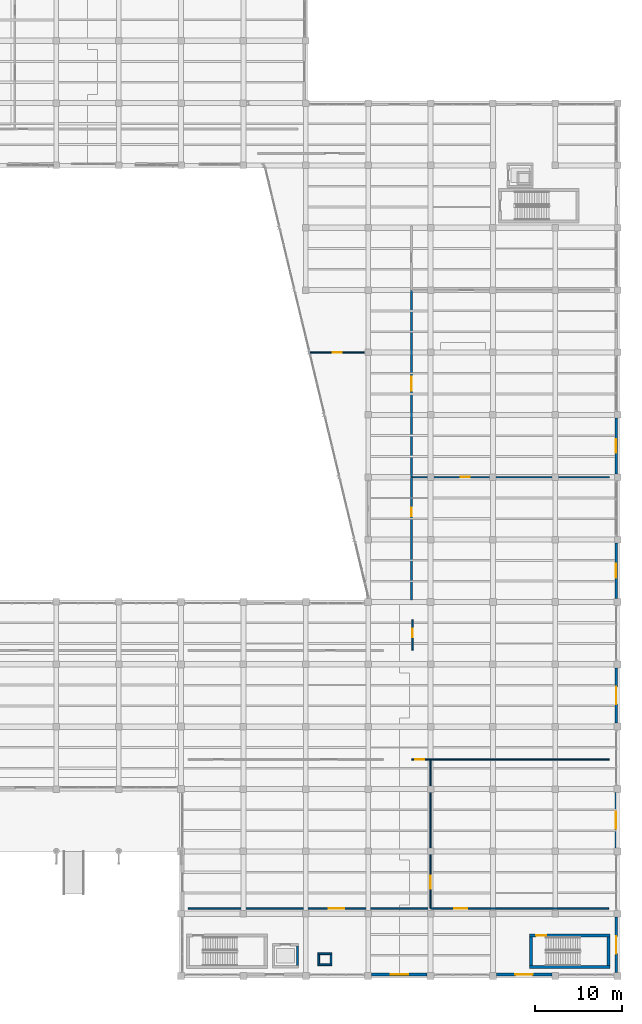
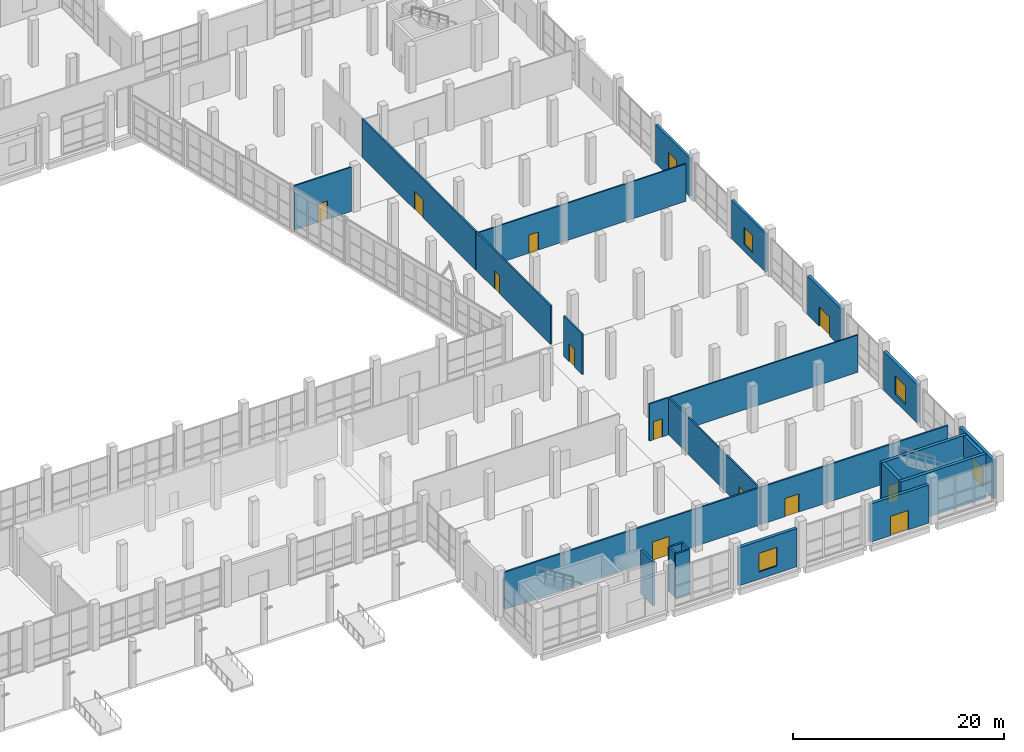
# One storey, part 111 of 137: 26 walls, 13 doors, 4 windows, 17 openings.
"""IFC4 building model written with IfcOpenShell, lengths in metres."""

from ifc_helpers import new_model, si_unit, direction, frame, frame_2d, origin, place, context, subcontext, project, spatial, rectangle, extrude, material, layer, layer_set, type_object, element, fill, save


model = new_model("IFC4")

# Units and contexts
model_context = context("Model", 3, precision=1e-05, world=origin(), true_north=direction((0.0, 1.0)))
body_context = subcontext(model_context, "Body", "Model", "MODEL_VIEW")
ifc_project = project(units=[si_unit("LENGTHUNIT", "METRE"), si_unit("AREAUNIT", "SQUARE_METRE"), si_unit("VOLUMEUNIT", "CUBIC_METRE"), si_unit("PLANEANGLEUNIT", "RADIAN"), si_unit("MASSUNIT", "GRAM", prefix="KILO")], contexts=[model_context])

# Site, building, storey
site_placement = place(None, origin())
site = spatial("IfcSite", under=ifc_project, at=site_placement, CompositionType="ELEMENT")
building_placement = place(site_placement, origin())
building = spatial("IfcBuilding", under=site, at=building_placement, Name="Kalmorath City Hall", CompositionType="ELEMENT")
storey_placement = place(building_placement, origin())
storey = spatial("IfcBuildingStorey", under=building, at=storey_placement, Name="L00", CompositionType="ELEMENT", Elevation=0.0)

# Wall, opening, door
ifc_material_1 = material(Name="Precast concrete C40/50", Category="concrete")
ifc_layer_1 = layer(ifc_material_1, 0.340087890625)
ifc_layer_set_1 = layer_set([ifc_layer_1], Name="Precast concrete C40/50")
wall_type_1 = type_object("IfcWallType", Name="Chamber acoustic precast wall 340", PredefinedType="SOLIDWALL", material=ifc_layer_set_1)
wall_1_placement = place(storey_placement, frame((165.43994140625, 35.59912109375, 0.0), z_axis=(0.0, 0.0, 1.0), x_axis=(0.0, -1.0, 0.0)))
wall_1 = element("IfcWall", 1, at=wall_1_placement, inside=storey, type_object=wall_type_1, Name="L00 chamber acoustic wall #96", PredefinedType="SOLIDWALL", context=body_context, shape_type="SweptSolid", body=[
    extrude(rectangle(XDim=6.398193359375, YDim=0.340087890625, at=frame_2d((3.19921875, 0.0))), origin(), (0.0, 0.0, 1.0), 4.4609375),
])
opening_1_placement = place(wall_1_placement, frame((2.198974609375, 0.0, 0.0)))
opening_1 = element("IfcOpeningElement", 2, at=opening_1_placement, cuts=wall_1, Name="Opening D-E012", PredefinedType="OPENING", context=body_context, shape_type="SweptSolid", body=[
    extrude(rectangle(XDim=2.0, YDim=2.25, at=frame_2d((1.0, 1.125))), frame((0.0, 0.179931640625, 0.0), z_axis=(0.0, -1.0, 0.0), x_axis=(1.0, 0.0, 0.0)), (0.0, 0.0, 1.0), 0.360107421875),
])
ifc_material_2 = material(Name="Galvanised steel and impact glass", Category="steel")
door_type_1 = type_object("IfcDoorType", Name="Hurricane exit discharge double door 2000x2250", OperationType="DOUBLE_DOOR_SINGLE_SWING", PredefinedType="DOOR", material=ifc_material_2)
door_1_placement = place(opening_1_placement, origin())
door_1 = element("IfcDoor", 3, at=door_1_placement, inside=storey, type_object=door_type_1, Name="L00 exterior door D-E012", OperationType="DOUBLE_DOOR_SINGLE_SWING", OverallHeight=2.25, OverallWidth=2.0, PredefinedType="DOOR", context=body_context, shape_type="SweptSolid", body=[
    extrude(rectangle(XDim=2.0, YDim=2.25, at=frame_2d((1.0, 1.125))), frame((0.0, 0.02490234375, 0.0), z_axis=(0.0, -1.0, 0.0), x_axis=(1.0, 0.0, 0.0)), (0.0, 0.0, 1.0), 0.050048828125),
])
fill(opening_1, door_1)

# Wall, opening, window
wall_2_placement = place(storey_placement, frame((165.43994140625, 21.198974609375, 0.0), z_axis=(0.0, 0.0, 1.0), x_axis=(0.0, -1.0, 0.0)))
wall_2 = element("IfcWall", 4, at=wall_2_placement, inside=storey, type_object=wall_type_1, Name="L00 chamber acoustic wall #97", PredefinedType="SOLIDWALL", context=body_context, shape_type="SweptSolid", body=[
    extrude(rectangle(XDim=6.39794921875, YDim=0.340087890625, at=frame_2d((3.198974609375, 0.0))), origin(), (0.0, 0.0, 1.0), 4.4609375),
])
opening_2_placement = place(wall_2_placement, frame((2.198974609375, 0.0, 0.85009765625)))
opening_2 = element("IfcOpeningElement", 5, at=opening_2_placement, cuts=wall_2, Name="Opening WN13", PredefinedType="OPENING", context=body_context, shape_type="SweptSolid", body=[
    extrude(rectangle(XDim=2.0, YDim=2.14990234375, at=frame_2d((1.0, 1.074951171875))), frame((0.0, 0.179931640625, 0.0), z_axis=(0.0, -1.0, 0.0), x_axis=(1.0, 0.0, 0.0)), (0.0, 0.0, 1.0), 0.360107421875),
])
ifc_material_3 = material(Name="Acoustic laminated glass", Category="glass")
window_type_1 = type_object("IfcWindowType", Name="Chamber foyer acoustic window 2000x2150", PartitioningType="SINGLE_PANEL", PredefinedType="WINDOW", material=ifc_material_3)
window_1_placement = place(opening_2_placement, origin())
window_1 = element("IfcWindow", 6, at=window_1_placement, inside=storey, type_object=window_type_1, Name="L00 window WN13-47", OverallHeight=2.14990234375, OverallWidth=2.0, PartitioningType="SINGLE_PANEL", PredefinedType="WINDOW", context=body_context, shape_type="SweptSolid", body=[
    extrude(rectangle(XDim=2.0, YDim=2.14990234375, at=frame_2d((1.0, 1.074951171875))), frame((0.0, 0.030029296875, 0.0), z_axis=(0.0, -1.0, 0.0), x_axis=(1.0, 0.0, 0.0)), (0.0, 0.0, 1.0), 0.06005859375),
])
fill(opening_2, window_1)

# Wall, opening, door
wall_3_placement = place(storey_placement, frame((165.43994140625, 6.799072265625, 0.0), z_axis=(0.0, 0.0, 1.0), x_axis=(0.0, -1.0, 0.0)))
wall_3 = element("IfcWall", 7, at=wall_3_placement, inside=storey, type_object=wall_type_1, Name="L00 chamber acoustic wall #98", PredefinedType="SOLIDWALL", context=body_context, shape_type="SweptSolid", body=[
    extrude(rectangle(XDim=6.398193359375, YDim=0.340087890625, at=frame_2d((3.19921875, 0.0))), origin(), (0.0, 0.0, 1.0), 4.4609375),
])
opening_3_placement = place(wall_3_placement, frame((2.198974609375, 0.0, 0.0)))
opening_3 = element("IfcOpeningElement", 8, at=opening_3_placement, cuts=wall_3, Name="Opening D-E013", PredefinedType="OPENING", context=body_context, shape_type="SweptSolid", body=[
    extrude(rectangle(XDim=2.0, YDim=2.25, at=frame_2d((1.0, 1.125))), frame((0.0, 0.179931640625, 0.0), z_axis=(0.0, -1.0, 0.0), x_axis=(1.0, 0.0, 0.0)), (0.0, 0.0, 1.0), 0.360107421875),
])
door_2_placement = place(opening_3_placement, origin())
door_2 = element("IfcDoor", 9, at=door_2_placement, inside=storey, type_object=door_type_1, Name="L00 exterior door D-E013", OperationType="DOUBLE_DOOR_SINGLE_SWING", OverallHeight=2.25, OverallWidth=2.0, PredefinedType="DOOR", context=body_context, shape_type="SweptSolid", body=[
    extrude(rectangle(XDim=2.0, YDim=2.25, at=frame_2d((1.0, 1.125))), frame((0.0, 0.02490234375, 0.0), z_axis=(0.0, -1.0, 0.0), x_axis=(1.0, 0.0, 0.0)), (0.0, 0.0, 1.0), 0.050048828125),
])
fill(opening_3, door_2)

wall_4_placement = place(storey_placement, frame((157.9990234375, 0.159912109375, 0.0), z_axis=(0.0, 0.0, 1.0), x_axis=(-1.0, 0.0, 0.0)))
wall_4 = element("IfcWall", 10, at=wall_4_placement, inside=storey, type_object=wall_type_1, Name="L00 chamber acoustic wall #99", PredefinedType="SOLIDWALL", context=body_context, shape_type="SweptSolid", body=[
    extrude(rectangle(XDim=6.39794921875, YDim=0.340087890625, at=frame_2d((3.198974609375, 0.0))), origin(), (0.0, 0.0, 1.0), 4.410888671875),
])
opening_4_placement = place(wall_4_placement, frame((2.198974609375, 0.0, 0.0)))
opening_4 = element("IfcOpeningElement", 11, at=opening_4_placement, cuts=wall_4, Name="Opening D-E014", PredefinedType="OPENING", context=body_context, shape_type="SweptSolid", body=[
    extrude(rectangle(XDim=2.0, YDim=2.25, at=frame_2d((1.0, 1.125))), frame((0.0, 0.179931640625, 0.0), z_axis=(0.0, -1.0, 0.0), x_axis=(1.0, 0.0, 0.0)), (0.0, 0.0, 1.0), 0.360107421875),
])
door_3_placement = place(opening_4_placement, origin())
door_3 = element("IfcDoor", 12, at=door_3_placement, inside=storey, type_object=door_type_1, Name="L00 exterior door D-E014", OperationType="DOUBLE_DOOR_SINGLE_SWING", OverallHeight=2.25, OverallWidth=2.0, PredefinedType="DOOR", context=body_context, shape_type="SweptSolid", body=[
    extrude(rectangle(XDim=2.0, YDim=2.25, at=frame_2d((1.0, 1.125))), frame((0.0, 0.02490234375, 0.0), z_axis=(0.0, -1.0, 0.0), x_axis=(1.0, 0.0, 0.0)), (0.0, 0.0, 1.0), 0.050048828125),
])
fill(opening_4, door_3)

# Wall, opening, window
wall_5_placement = place(storey_placement, frame((143.59912109375, 0.159912109375, 0.0), z_axis=(0.0, 0.0, 1.0), x_axis=(-1.0, 0.0, 0.0)))
wall_5 = element("IfcWall", 13, at=wall_5_placement, inside=storey, type_object=wall_type_1, Name="L00 chamber acoustic wall #100", PredefinedType="SOLIDWALL", context=body_context, shape_type="SweptSolid", body=[
    extrude(rectangle(XDim=6.398193359375, YDim=0.340087890625, at=frame_2d((3.19921875, 0.0))), origin(), (0.0, 0.0, 1.0), 4.410888671875),
])
opening_5_placement = place(wall_5_placement, frame((2.198974609375, 0.0, 0.85009765625)))
opening_5 = element("IfcOpeningElement", 14, at=opening_5_placement, cuts=wall_5, Name="Opening WN13", PredefinedType="OPENING", context=body_context, shape_type="SweptSolid", body=[
    extrude(rectangle(XDim=2.0, YDim=2.14990234375, at=frame_2d((1.0, 1.074951171875))), frame((0.0, 0.179931640625, 0.0), z_axis=(0.0, -1.0, 0.0), x_axis=(1.0, 0.0, 0.0)), (0.0, 0.0, 1.0), 0.360107421875),
])
window_2_placement = place(opening_5_placement, origin())
window_2 = element("IfcWindow", 15, at=window_2_placement, inside=storey, type_object=window_type_1, Name="L00 window WN13-48", OverallHeight=2.14990234375, OverallWidth=2.0, PartitioningType="SINGLE_PANEL", PredefinedType="WINDOW", context=body_context, shape_type="SweptSolid", body=[
    extrude(rectangle(XDim=2.0, YDim=2.14990234375, at=frame_2d((1.0, 1.074951171875))), frame((0.0, 0.030029296875, 0.0), z_axis=(0.0, -1.0, 0.0), x_axis=(1.0, 0.0, 0.0)), (0.0, 0.0, 1.0), 0.06005859375),
])
fill(opening_5, window_2)

# Wall
ifc_material_4 = material(Name="Concrete C50/60", Category="concrete")
ifc_layer_2 = layer(ifc_material_4, 0.35009765625)
ifc_layer_set_2 = layer_set([ifc_layer_2], Name="Concrete C50/60")
wall_type_2 = type_object("IfcWallType", Name="Concrete core shear wall 350", PredefinedType="SHEAR", material=ifc_layer_set_2)
wall_6_placement = place(storey_placement, frame((155.449951171875, 1.02490234375, 0.0), z_axis=(0.0, 0.0, 1.0), x_axis=(1.0, 0.0, 0.0)))
element("IfcWall", 16, at=wall_6_placement, inside=storey, type_object=wall_type_2, Name="L00 C7 stair core shear wall S", PredefinedType="SHEAR", context=body_context, shape_type="SweptSolid", body=[
    extrude(rectangle(XDim=9.300048828125, YDim=0.35009765625, at=frame_2d((4.64990234375, 0.0))), origin(), (0.0, 0.0, 1.0), 5.1201171875),
])

# Wall, opening, door
wall_7_placement = place(storey_placement, frame((164.75, 4.675048828125, 0.0), z_axis=(0.0, 0.0, 1.0), x_axis=(-1.0, 0.0, 0.0)))
wall_7 = element("IfcWall", 17, at=wall_7_placement, inside=storey, type_object=wall_type_2, Name="L00 C7 stair core shear wall N", PredefinedType="SHEAR", context=body_context, shape_type="SweptSolid", body=[
    extrude(rectangle(XDim=9.300048828125, YDim=0.35009765625, at=frame_2d((4.64990234375, 0.0))), origin(), (0.0, 0.0, 1.0), 5.1201171875),
])
opening_6_placement = place(wall_7_placement, frame((7.39990234375, 0.0, 0.0)))
opening_6 = element("IfcOpeningElement", 18, at=opening_6_placement, cuts=wall_7, Name="Opening D-L00-104", PredefinedType="OPENING", context=body_context, shape_type="SweptSolid", body=[
    extrude(rectangle(XDim=1.14990234375, YDim=2.10009765625, at=frame_2d((0.574951171875, 1.050048828125))), frame((0.0, 0.18505859375, 0.0), z_axis=(0.0, -1.0, 0.0), x_axis=(1.0, 0.0, 0.0)), (0.0, 0.0, 1.0), 0.3701171875),
])
ifc_material_5 = material(Name="Galvanised steel fire door", Category="steel")
door_type_2 = type_object("IfcDoorType", Name="Stair enclosure 90-min fire door 1150x2100", OperationType="NOTDEFINED", PredefinedType="DOOR", material=ifc_material_5)
door_4_placement = place(opening_6_placement, frame((1.14990234375, 0.0, 0.0), z_axis=(0.0, 0.0, 1.0), x_axis=(-1.0, 0.0, 0.0)))
door_4 = element("IfcDoor", 19, at=door_4_placement, inside=storey, type_object=door_type_2, Name="L00 door D-L00-104", OperationType="SINGLE_SWING_RIGHT", OverallHeight=2.10009765625, OverallWidth=1.14990234375, PredefinedType="DOOR", context=body_context, shape_type="SweptSolid", body=[
    extrude(rectangle(XDim=1.14990234375, YDim=2.10009765625, at=frame_2d((0.574951171875, 1.050048828125))), frame((0.0, 0.02490234375, 0.0), z_axis=(0.0, -1.0, 0.0), x_axis=(1.0, 0.0, 0.0)), (0.0, 0.0, 1.0), 0.050048828125),
])
fill(opening_6, door_4)

# Walls
for number, where, z_axis, x_axis, name in (
    (20, (155.625, 4.5, 0.0), (0.0, 0.0, 1.0), (0.0, -1.0, 0.0), "L00 C7 stair core shear wall W"),
    (21, (164.574951171875, 1.199951171875, 0.0), (0.0, 0.0, 1.0), (0.0, 1.0, 0.0), "L00 C7 stair core shear wall E"),
):
    element("IfcWall", number, at=place(storey_placement, frame(where, z_axis=z_axis, x_axis=x_axis)), inside=storey, type_object=wall_type_2, Name=name, PredefinedType="SHEAR", context=body_context, shape_type="SweptSolid", body=[
        extrude(rectangle(XDim=3.300048828125, YDim=0.35009765625, at=frame_2d((1.64990234375, 0.0))), origin(), (0.0, 0.0, 1.0), 5.1201171875),
    ])
ifc_material_6 = material(Name="Concrete C50/60", Category="concrete")
ifc_layer_3 = layer(ifc_material_6, 0.25)
ifc_layer_set_3 = layer_set([ifc_layer_3], Name="Concrete C50/60")
wall_type_3 = type_object("IfcWallType", Name="Concrete lift shaft wall 250", PredefinedType="SHEAR", material=ifc_layer_set_3)
wall_8_placement = place(storey_placement, frame((128.625, 1.199951171875, 0.0), z_axis=(0.0, 0.0, 1.0), x_axis=(0.0, 1.0, 0.0)))
element("IfcWall", 22, at=wall_8_placement, inside=storey, type_object=wall_type_3, Name="L00 PL5 lift shaft wall +x", PredefinedType="SHEAR", context=body_context, shape_type="SweptSolid", body=[
    extrude(rectangle(XDim=2.300048828125, YDim=0.25, at=frame_2d((1.14990234375, 0.0))), origin(), (0.0, 0.0, 1.0), 5.1201171875),
])
ifc_material_7 = material(Name="Concrete C40/50", Category="concrete")
ifc_layer_4 = layer(ifc_material_7, 0.199951171875)
ifc_layer_set_4 = layer_set([ifc_layer_4], Name="Concrete C40/50")
wall_type_4 = type_object("IfcWallType", Name="Concrete service riser wall 200", PredefinedType="SOLIDWALL", material=ifc_layer_set_4)
for number, where, z_axis, x_axis, name in (
    (23, (131.0, 1.300048828125, 0.0), (0.0, 0.0, 1.0), (1.0, 0.0, 0.0), "L00 RSR-3 riser shaft wall S"),
    (24, (132.60009765625, 2.580078125, 0.0), (0.0, 0.0, 1.0), (-1.0, 0.0, 0.0), "L00 RSR-3 riser shaft wall N"),
):
    element("IfcWall", number, at=place(storey_placement, frame(where, z_axis=z_axis, x_axis=x_axis)), inside=storey, type_object=wall_type_4, Name=name, PredefinedType="SOLIDWALL", context=body_context, shape_type="SweptSolid", body=[
        extrude(rectangle(XDim=1.60009765625, YDim=0.199951171875, at=frame_2d((0.800048828125, 0.0))), origin(), (0.0, 0.0, 1.0), 5.1201171875),
    ])
for number, where, z_axis, x_axis, name in (
    (25, (131.10009765625, 2.47998046875, 0.0), (0.0, 0.0, 1.0), (0.0, -1.0, 0.0), "L00 RSR-3 riser shaft wall W"),
    (26, (132.5, 1.39990234375, 0.0), (0.0, 0.0, 1.0), (0.0, 1.0, 0.0), "L00 RSR-3 riser shaft wall E"),
):
    element("IfcWall", number, at=place(storey_placement, frame(where, z_axis=z_axis, x_axis=x_axis)), inside=storey, type_object=wall_type_4, Name=name, PredefinedType="SOLIDWALL", context=body_context, shape_type="SweptSolid", body=[
        extrude(rectangle(XDim=1.080078125, YDim=0.199951171875, at=frame_2d((0.5400390625, 0.0))), origin(), (0.0, 0.0, 1.0), 5.1201171875),
    ])

# Wall, opening, door
ifc_material_8 = material(Name="Acoustic metal-stud gypsum partition")
ifc_layer_5 = layer(ifc_material_8, 0.14990234375)
ifc_layer_set_5 = layer_set([ifc_layer_5], Name="Acoustic metal-stud gypsum partition")
wall_type_5 = type_object("IfcWallType", Name="Departmental suite partition 150", PredefinedType="PARTITIONING", material=ifc_layer_set_5)
wall_9_placement = place(storey_placement, frame((144.0, 7.840087890625, 0.0), z_axis=(0.0, 0.0, 1.0), x_axis=(0.0, 1.0, 0.0)))
wall_9 = element("IfcWall", 27, at=wall_9_placement, inside=storey, type_object=wall_type_5, Name="L00 interior partition PW4 #51", PredefinedType="PARTITIONING", context=body_context, shape_type="SweptSolid", body=[
    extrude(rectangle(XDim=17.119873046875, YDim=0.14990234375, at=frame_2d((8.56005859375, 0.0))), origin(), (0.0, 0.0, 1.0), 4.31103515625),
])
opening_7_placement = place(wall_9_placement, frame((2.267578125, 0.0, 0.0)))
opening_7 = element("IfcOpeningElement", 28, at=opening_7_placement, cuts=wall_9, Name="Opening D-L00-133", PredefinedType="OPENING", context=body_context, shape_type="SweptSolid", body=[
    extrude(rectangle(XDim=1.5, YDim=2.10009765625, at=frame_2d((0.75, 1.050048828125))), frame((0.0, 0.0849609375, 0.0), z_axis=(0.0, -1.0, 0.0), x_axis=(1.0, 0.0, 0.0)), (0.0, 0.0, 1.0), 0.169921875),
])
ifc_material_9 = material(Name="Hardwood veneer door", Category="wood")
door_type_3 = type_object("IfcDoorType", Name="Conference suite double door 1500x2100", OperationType="DOUBLE_DOOR_SINGLE_SWING", PredefinedType="DOOR", material=ifc_material_9)
door_5_placement = place(opening_7_placement, origin())
door_5 = element("IfcDoor", 29, at=door_5_placement, inside=storey, type_object=door_type_3, Name="L00 door D-L00-133", OperationType="DOUBLE_DOOR_SINGLE_SWING", OverallHeight=2.10009765625, OverallWidth=1.5, PredefinedType="DOOR", context=body_context, shape_type="SweptSolid", body=[
    extrude(rectangle(XDim=1.5, YDim=2.10009765625, at=frame_2d((0.75, 1.050048828125))), frame((0.0, 0.02490234375, 0.0), z_axis=(0.0, -1.0, 0.0), x_axis=(1.0, 0.0, 0.0)), (0.0, 0.0, 1.0), 0.050048828125),
])
fill(opening_7, door_5)

wall_10_placement = place(storey_placement, frame((141.840087890625, 25.0, 0.0), z_axis=(0.0, 0.0, 1.0), x_axis=(1.0, 0.0, 0.0)))
wall_10 = element("IfcWall", 30, at=wall_10_placement, inside=storey, type_object=wall_type_5, Name="L00 interior partition PW4 #53", PredefinedType="PARTITIONING", context=body_context, shape_type="SweptSolid", body=[
    extrude(rectangle(XDim=2.119873046875, YDim=0.14990234375, at=frame_2d((1.06005859375, 0.0))), origin(), (0.0, 0.0, 1.0), 4.31103515625),
])
opening_8_placement = place(wall_10_placement, frame((0.419921875, 0.0, 0.0)))
opening_8 = element("IfcOpeningElement", 31, at=opening_8_placement, cuts=wall_10, Name="Opening D-L00-137", PredefinedType="OPENING", context=body_context, shape_type="SweptSolid", body=[
    extrude(rectangle(XDim=1.0, YDim=2.10009765625, at=frame_2d((0.5, 1.050048828125))), frame((0.0, 0.0849609375, 0.0), z_axis=(0.0, -1.0, 0.0), x_axis=(1.0, 0.0, 0.0)), (0.0, 0.0, 1.0), 0.169921875),
])
ifc_material_10 = material(Name="Hardwood fire door", Category="wood")
door_type_4 = type_object("IfcDoorType", Name="Corridor 60-min fire door 1000x2100", OperationType="NOTDEFINED", PredefinedType="DOOR", material=ifc_material_10)
door_6_placement = place(opening_8_placement, origin())
door_6 = element("IfcDoor", 32, at=door_6_placement, inside=storey, type_object=door_type_4, Name="L00 door D-L00-137", OperationType="SINGLE_SWING_LEFT", OverallHeight=2.10009765625, OverallWidth=1.0, PredefinedType="DOOR", context=body_context, shape_type="SweptSolid", body=[
    extrude(rectangle(XDim=1.0, YDim=2.10009765625, at=frame_2d((0.5, 1.050048828125))), frame((0.0, 0.02490234375, 0.0), z_axis=(0.0, -1.0, 0.0), x_axis=(1.0, 0.0, 0.0)), (0.0, 0.0, 1.0), 0.050048828125),
])
fill(opening_8, door_6)

# Wall
wall_11_placement = place(storey_placement, frame((144.0400390625, 25.0, 0.0), z_axis=(0.0, 0.0, 1.0), x_axis=(1.0, 0.0, 0.0)))
element("IfcWall", 33, at=wall_11_placement, inside=storey, type_object=wall_type_5, Name="L00 interior partition PW4 #54", PredefinedType="PARTITIONING", context=body_context, shape_type="SweptSolid", body=[
    extrude(rectangle(XDim=20.619873046875, YDim=0.14990234375, at=frame_2d((10.31005859375, 0.0))), origin(), (0.0, 0.0, 1.0), 4.31103515625),
])

# Wall, opening, door
wall_12_placement = place(storey_placement, frame((130.110595703125, 72.0, 0.0), z_axis=(0.0, 0.0, 1.0), x_axis=(1.0, 0.0, 0.0)))
wall_12 = element("IfcWall", 34, at=wall_12_placement, inside=storey, type_object=wall_type_5, Name="L00 interior partition PW4 #61", PredefinedType="PARTITIONING", context=body_context, shape_type="SweptSolid", body=[
    extrude(rectangle(XDim=6.24951171875, YDim=0.14990234375, at=frame_2d((3.124755859375, 0.0))), origin(), (0.0, 0.0, 1.0), 5.1201171875),
])
opening_9_placement = place(wall_12_placement, frame((2.624755859375, 0.0, 0.0)))
opening_9 = element("IfcOpeningElement", 35, at=opening_9_placement, cuts=wall_12, Name="Opening D-L00-154", PredefinedType="OPENING", context=body_context, shape_type="SweptSolid", body=[
    extrude(rectangle(XDim=1.0, YDim=2.10009765625, at=frame_2d((0.5, 1.050048828125))), frame((0.0, 0.0849609375, 0.0), z_axis=(0.0, -1.0, 0.0), x_axis=(1.0, 0.0, 0.0)), (0.0, 0.0, 1.0), 0.169921875),
])
door_7_placement = place(opening_9_placement, origin())
door_7 = element("IfcDoor", 36, at=door_7_placement, inside=storey, type_object=door_type_4, Name="L00 door D-L00-154", OperationType="SINGLE_SWING_RIGHT", OverallHeight=2.10009765625, OverallWidth=1.0, PredefinedType="DOOR", context=body_context, shape_type="SweptSolid", body=[
    extrude(rectangle(XDim=1.0, YDim=2.10009765625, at=frame_2d((0.5, 1.050048828125))), frame((0.0, 0.02490234375, 0.0), z_axis=(0.0, -1.0, 0.0), x_axis=(1.0, 0.0, 0.0)), (0.0, 0.0, 1.0), 0.050048828125),
])
fill(opening_9, door_7)

wall_13_placement = place(storey_placement, frame((141.840087890625, 57.60009765625, 0.0), z_axis=(0.0, 0.0, 1.0), x_axis=(1.0, 0.0, 0.0)))
wall_13 = element("IfcWall", 37, at=wall_13_placement, inside=storey, type_object=wall_type_5, Name="L00 interior partition PW4 #62", PredefinedType="PARTITIONING", context=body_context, shape_type="SweptSolid", body=[
    extrude(rectangle(XDim=22.81982421875, YDim=0.14990234375, at=frame_2d((11.409912109375, 0.0))), origin(), (0.0, 0.0, 1.0), 4.31103515625),
])
opening_10_placement = place(wall_13_placement, frame((5.6650390625, 0.0, 0.0)))
opening_10 = element("IfcOpeningElement", 38, at=opening_10_placement, cuts=wall_13, Name="Opening D-L00-156", PredefinedType="OPENING", context=body_context, shape_type="SweptSolid", body=[
    extrude(rectangle(XDim=1.0, YDim=2.10009765625, at=frame_2d((0.5, 1.050048828125))), frame((0.0, 0.0849609375, 0.0), z_axis=(0.0, -1.0, 0.0), x_axis=(1.0, 0.0, 0.0)), (0.0, 0.0, 1.0), 0.169921875),
])
door_8_placement = place(opening_10_placement, origin())
door_8 = element("IfcDoor", 39, at=door_8_placement, inside=storey, type_object=door_type_4, Name="L00 door D-L00-156", OperationType="SINGLE_SWING_RIGHT", OverallHeight=2.10009765625, OverallWidth=1.0, PredefinedType="DOOR", context=body_context, shape_type="SweptSolid", body=[
    extrude(rectangle(XDim=1.0, YDim=2.10009765625, at=frame_2d((0.5, 1.050048828125))), frame((0.0, 0.02490234375, 0.0), z_axis=(0.0, -1.0, 0.0), x_axis=(1.0, 0.0, 0.0)), (0.0, 0.0, 1.0), 0.050048828125),
])
fill(opening_10, door_8)

# Wall, opening, window
ifc_material_11 = material(Name="Precast concrete C40/50", Category="concrete")
ifc_layer_6 = layer(ifc_material_11, 0.27001953125)
ifc_layer_set_6 = layer_set([ifc_layer_6], Name="Precast concrete C40/50")
wall_type_6 = type_object("IfcWallType", Name="Library splayed facade wall 270", PredefinedType="SOLIDWALL", material=ifc_layer_set_6)
wall_14_placement = place(storey_placement, frame((165.43994140625, 64.424072265625, 0.0), z_axis=(0.0, 0.0, 1.0), x_axis=(0.0, -1.0, 0.0)))
wall_14 = element("IfcWall", 40, at=wall_14_placement, inside=storey, type_object=wall_type_6, Name="L00 library wall #94", PredefinedType="SOLIDWALL", context=body_context, shape_type="SweptSolid", body=[
    extrude(rectangle(XDim=6.447998046875, YDim=0.27001953125, at=frame_2d((3.22412109375, 0.0))), origin(), (0.0, 0.0, 1.0), 4.4609375),
])
opening_11_placement = place(wall_14_placement, frame((2.424072265625, 0.0, 0.800048828125)))
opening_11 = element("IfcOpeningElement", 41, at=opening_11_placement, cuts=wall_14, Name="Opening WN15", PredefinedType="OPENING", context=body_context, shape_type="SweptSolid", body=[
    extrude(rectangle(XDim=1.60009765625, YDim=1.949951171875, at=frame_2d((0.800048828125, 0.97509765625))), frame((0.0, 0.14501953125, 0.0), z_axis=(0.0, -1.0, 0.0), x_axis=(1.0, 0.0, 0.0)), (0.0, 0.0, 1.0), 0.2900390625),
])
ifc_material_12 = material(Name="Bronze-anodised aluminium and glass", Category="aluminium")
window_type_2 = type_object("IfcWindowType", Name="Library stacks window 1600x1950", PartitioningType="SINGLE_PANEL", PredefinedType="WINDOW", material=ifc_material_12)
window_3_placement = place(opening_11_placement, origin())
window_3 = element("IfcWindow", 42, at=window_3_placement, inside=storey, type_object=window_type_2, Name="L00 window WN15-45", OverallHeight=1.949951171875, OverallWidth=1.60009765625, PartitioningType="SINGLE_PANEL", PredefinedType="WINDOW", context=body_context, shape_type="SweptSolid", body=[
    extrude(rectangle(XDim=1.60009765625, YDim=1.949951171875, at=frame_2d((0.800048828125, 0.97509765625))), frame((0.0, 0.030029296875, 0.0), z_axis=(0.0, -1.0, 0.0), x_axis=(1.0, 0.0, 0.0)), (0.0, 0.0, 1.0), 0.06005859375),
])
fill(opening_11, window_3)

wall_15_placement = place(storey_placement, frame((165.43994140625, 50.02392578125, 0.0), z_axis=(0.0, 0.0, 1.0), x_axis=(0.0, -1.0, 0.0)))
wall_15 = element("IfcWall", 43, at=wall_15_placement, inside=storey, type_object=wall_type_6, Name="L00 library wall #95", PredefinedType="SOLIDWALL", context=body_context, shape_type="SweptSolid", body=[
    extrude(rectangle(XDim=6.4228515625, YDim=0.27001953125, at=frame_2d((3.21142578125, 0.0))), origin(), (0.0, 0.0, 1.0), 4.4609375),
])
opening_12_placement = place(wall_15_placement, frame((2.41162109375, 0.0, 0.800048828125)))
opening_12 = element("IfcOpeningElement", 44, at=opening_12_placement, cuts=wall_15, Name="Opening WN15", PredefinedType="OPENING", context=body_context, shape_type="SweptSolid", body=[
    extrude(rectangle(XDim=1.60009765625, YDim=1.949951171875, at=frame_2d((0.800048828125, 0.97509765625))), frame((0.0, 0.14501953125, 0.0), z_axis=(0.0, -1.0, 0.0), x_axis=(1.0, 0.0, 0.0)), (0.0, 0.0, 1.0), 0.2900390625),
])
window_4_placement = place(opening_12_placement, origin())
window_4 = element("IfcWindow", 45, at=window_4_placement, inside=storey, type_object=window_type_2, Name="L00 window WN15-46", OverallHeight=1.949951171875, OverallWidth=1.60009765625, PartitioningType="SINGLE_PANEL", PredefinedType="WINDOW", context=body_context, shape_type="SweptSolid", body=[
    extrude(rectangle(XDim=1.60009765625, YDim=1.949951171875, at=frame_2d((0.800048828125, 0.97509765625))), frame((0.0, 0.030029296875, 0.0), z_axis=(0.0, -1.0, 0.0), x_axis=(1.0, 0.0, 0.0)), (0.0, 0.0, 1.0), 0.06005859375),
])
fill(opening_12, window_4)

# Wall, opening, door
ifc_material_13 = material(Name="Fire-rated acoustic gypsum partition")
ifc_layer_7 = layer(ifc_material_13, 0.179931640625)
ifc_layer_set_7 = layer_set([ifc_layer_7], Name="Fire-rated acoustic gypsum partition")
wall_type_7 = type_object("IfcWallType", Name="One-hour corridor fire partition 180", PredefinedType="PARTITIONING", material=ifc_layer_set_7)
wall_16_placement = place(storey_placement, frame((141.89990234375, 37.639892578125, 0.0), z_axis=(0.0, 0.0, 1.0), x_axis=(0.0, 1.0, 0.0)))
wall_16 = element("IfcWall", 46, at=wall_16_placement, inside=storey, type_object=wall_type_7, Name="L00 interior partition PW2 #34", PredefinedType="PARTITIONING", context=body_context, shape_type="SweptSolid", body=[
    extrude(rectangle(XDim=3.52001953125, YDim=0.179931640625, at=frame_2d((1.760009765625, 0.0))), origin(), (0.0, 0.0, 1.0), 4.657958984375),
])
opening_13_placement = place(wall_16_placement, frame((1.469970703125, 0.0, 0.0)))
opening_13 = element("IfcOpeningElement", 47, at=opening_13_placement, cuts=wall_16, Name="Opening D-L00-136", PredefinedType="OPENING", context=body_context, shape_type="SweptSolid", body=[
    extrude(rectangle(XDim=1.0, YDim=2.10009765625, at=frame_2d((0.5, 1.050048828125))), frame((0.0, 0.099853515625, 0.0), z_axis=(0.0, -1.0, 0.0), x_axis=(1.0, 0.0, 0.0)), (0.0, 0.0, 1.0), 0.199951171875),
])
door_9_placement = place(opening_13_placement, origin())
door_9 = element("IfcDoor", 48, at=door_9_placement, inside=storey, type_object=door_type_4, Name="L00 door D-L00-136", OperationType="SINGLE_SWING_RIGHT", OverallHeight=2.10009765625, OverallWidth=1.0, PredefinedType="DOOR", context=body_context, shape_type="SweptSolid", body=[
    extrude(rectangle(XDim=1.0, YDim=2.10009765625, at=frame_2d((0.5, 1.050048828125))), frame((0.0, 0.02490234375, 0.0), z_axis=(0.0, -1.0, 0.0), x_axis=(1.0, 0.0, 0.0)), (0.0, 0.0, 1.0), 0.050048828125),
])
fill(opening_13, door_9)

wall_17_placement = place(storey_placement, frame((116.0400390625, 7.800048828125, 0.0), z_axis=(0.0, 0.0, 1.0), x_axis=(1.0, 0.0, 0.0)))
wall_17 = element("IfcWall", 49, at=wall_17_placement, inside=storey, type_object=wall_type_7, Name="L00 interior partition PW2 #35", PredefinedType="PARTITIONING", context=body_context, shape_type="SweptSolid", body=[
    extrude(rectangle(XDim=27.919921875, YDim=0.179931640625, at=frame_2d((13.9599609375, 0.0))), origin(), (0.0, 0.0, 1.0), 4.31103515625),
])
opening_14_placement = place(wall_17_placement, frame((16.219970703125, 0.0, 0.0)))
opening_14 = element("IfcOpeningElement", 50, at=opening_14_placement, cuts=wall_17, Name="Opening D-L00-130", PredefinedType="OPENING", context=body_context, shape_type="SweptSolid", body=[
    extrude(rectangle(XDim=1.800048828125, YDim=2.14990234375, at=frame_2d((0.89990234375, 1.074951171875))), frame((0.0, 0.099853515625, 0.0), z_axis=(0.0, -1.0, 0.0), x_axis=(1.0, 0.0, 0.0)), (0.0, 0.0, 1.0), 0.199951171875),
])
ifc_material_14 = material(Name="Acoustic hardwood fire door", Category="wood")
door_type_5 = type_object("IfcDoorType", Name="Assembly double acoustic fire door 1800x2150", OperationType="DOUBLE_DOOR_SINGLE_SWING", PredefinedType="DOOR", material=ifc_material_14)
door_10_placement = place(opening_14_placement, origin())
door_10 = element("IfcDoor", 51, at=door_10_placement, inside=storey, type_object=door_type_5, Name="L00 door D-L00-130", OperationType="DOUBLE_DOOR_SINGLE_SWING", OverallHeight=2.14990234375, OverallWidth=1.800048828125, PredefinedType="DOOR", context=body_context, shape_type="SweptSolid", body=[
    extrude(rectangle(XDim=1.800048828125, YDim=2.14990234375, at=frame_2d((0.89990234375, 1.074951171875))), frame((0.0, 0.02490234375, 0.0), z_axis=(0.0, -1.0, 0.0), x_axis=(1.0, 0.0, 0.0)), (0.0, 0.0, 1.0), 0.050048828125),
])
fill(opening_14, door_10)

wall_18_placement = place(storey_placement, frame((144.0400390625, 7.800048828125, 0.0), z_axis=(0.0, 0.0, 1.0), x_axis=(1.0, 0.0, 0.0)))
wall_18 = element("IfcWall", 52, at=wall_18_placement, inside=storey, type_object=wall_type_7, Name="L00 interior partition PW2 #36", PredefinedType="PARTITIONING", context=body_context, shape_type="SweptSolid", body=[
    extrude(rectangle(XDim=20.52001953125, YDim=0.179931640625, at=frame_2d((10.260009765625, 0.0))), origin(), (0.0, 0.0, 1.0), 4.31103515625),
])
opening_15_placement = place(wall_18_placement, frame((2.6923828125, 0.0, 0.0)))
opening_15 = element("IfcOpeningElement", 53, at=opening_15_placement, cuts=wall_18, Name="Opening D-L00-132", PredefinedType="OPENING", context=body_context, shape_type="SweptSolid", body=[
    extrude(rectangle(XDim=1.5, YDim=2.10009765625, at=frame_2d((0.75, 1.050048828125))), frame((0.0, 0.099853515625, 0.0), z_axis=(0.0, -1.0, 0.0), x_axis=(1.0, 0.0, 0.0)), (0.0, 0.0, 1.0), 0.199951171875),
])
door_11_placement = place(opening_15_placement, origin())
door_11 = element("IfcDoor", 54, at=door_11_placement, inside=storey, type_object=door_type_3, Name="L00 door D-L00-132", OperationType="DOUBLE_DOOR_SINGLE_SWING", OverallHeight=2.10009765625, OverallWidth=1.5, PredefinedType="DOOR", context=body_context, shape_type="SweptSolid", body=[
    extrude(rectangle(XDim=1.5, YDim=2.10009765625, at=frame_2d((0.75, 1.050048828125))), frame((0.0, 0.02490234375, 0.0), z_axis=(0.0, -1.0, 0.0), x_axis=(1.0, 0.0, 0.0)), (0.0, 0.0, 1.0), 0.050048828125),
])
fill(opening_15, door_11)

wall_19_placement = place(storey_placement, frame((141.800048828125, 43.43994140625, 0.0), z_axis=(0.0, 0.0, 1.0), x_axis=(0.0, 1.0, 0.0)))
wall_19 = element("IfcWall", 55, at=wall_19_placement, inside=storey, type_object=wall_type_7, Name="L00 interior partition PW2 #44", PredefinedType="PARTITIONING", context=body_context, shape_type="SweptSolid", body=[
    extrude(rectangle(XDim=14.1201171875, YDim=0.179931640625, at=frame_2d((7.06005859375, 0.0))), origin(), (0.0, 0.0, 1.0), 4.449951171875),
])
opening_16_placement = place(wall_19_placement, frame((9.6298828125, 0.0, 0.0)))
opening_16 = element("IfcOpeningElement", 56, at=opening_16_placement, cuts=wall_19, Name="Opening D-L00-155", PredefinedType="OPENING", context=body_context, shape_type="SweptSolid", body=[
    extrude(rectangle(XDim=1.0, YDim=2.10009765625, at=frame_2d((0.5, 1.050048828125))), frame((0.0, 0.099853515625, 0.0), z_axis=(0.0, -1.0, 0.0), x_axis=(1.0, 0.0, 0.0)), (0.0, 0.0, 1.0), 0.199951171875),
])
door_12_placement = place(opening_16_placement, origin())
door_12 = element("IfcDoor", 57, at=door_12_placement, inside=storey, type_object=door_type_4, Name="L00 door D-L00-155", OperationType="SINGLE_SWING_LEFT", OverallHeight=2.10009765625, OverallWidth=1.0, PredefinedType="DOOR", context=body_context, shape_type="SweptSolid", body=[
    extrude(rectangle(XDim=1.0, YDim=2.10009765625, at=frame_2d((0.5, 1.050048828125))), frame((0.0, 0.02490234375, 0.0), z_axis=(0.0, -1.0, 0.0), x_axis=(1.0, 0.0, 0.0)), (0.0, 0.0, 1.0), 0.050048828125),
])
fill(opening_16, door_12)

wall_20_placement = place(storey_placement, frame((141.800048828125, 57.639892578125, 0.0), z_axis=(0.0, 0.0, 1.0), x_axis=(0.0, 1.0, 0.0)))
wall_20 = element("IfcWall", 58, at=wall_20_placement, inside=storey, type_object=wall_type_7, Name="L00 interior partition PW2 #45", PredefinedType="PARTITIONING", context=body_context, shape_type="SweptSolid", body=[
    extrude(rectangle(XDim=21.52001953125, YDim=0.179931640625, at=frame_2d((10.760009765625, 0.0))), origin(), (0.0, 0.0, 1.0), 4.449951171875),
])
opening_17_placement = place(wall_20_placement, frame((9.9599609375, 0.0, 0.0)))
opening_17 = element("IfcOpeningElement", 59, at=opening_17_placement, cuts=wall_20, Name="Opening D-L00-157", PredefinedType="OPENING", context=body_context, shape_type="SweptSolid", body=[
    extrude(rectangle(XDim=1.60009765625, YDim=2.10009765625, at=frame_2d((0.800048828125, 1.050048828125))), frame((0.0, 0.099853515625, 0.0), z_axis=(0.0, -1.0, 0.0), x_axis=(1.0, 0.0, 0.0)), (0.0, 0.0, 1.0), 0.199951171875),
])
ifc_material_15 = material(Name="Acoustic hardwood fire door", Category="wood")
door_type_6 = type_object("IfcDoorType", Name="Committee double fire door 1600x2100", OperationType="DOUBLE_DOOR_SINGLE_SWING", PredefinedType="DOOR", material=ifc_material_15)
door_13_placement = place(opening_17_placement, origin())
door_13 = element("IfcDoor", 60, at=door_13_placement, inside=storey, type_object=door_type_6, Name="L00 door D-L00-157", OperationType="DOUBLE_DOOR_SINGLE_SWING", OverallHeight=2.10009765625, OverallWidth=1.60009765625, PredefinedType="DOOR", context=body_context, shape_type="SweptSolid", body=[
    extrude(rectangle(XDim=1.60009765625, YDim=2.10009765625, at=frame_2d((0.800048828125, 1.050048828125))), frame((0.0, 0.02490234375, 0.0), z_axis=(0.0, -1.0, 0.0), x_axis=(1.0, 0.0, 0.0)), (0.0, 0.0, 1.0), 0.050048828125),
])
fill(opening_17, door_13)

save(model, "model.ifc")
